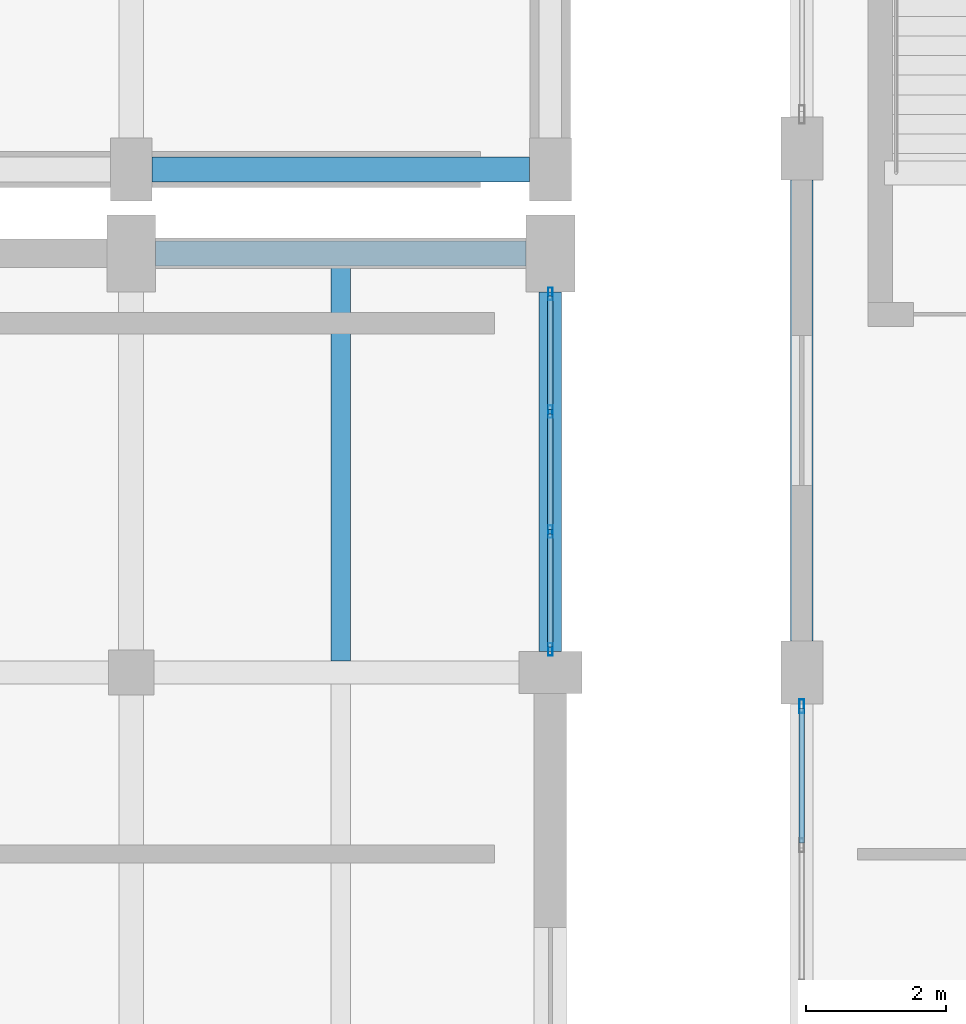
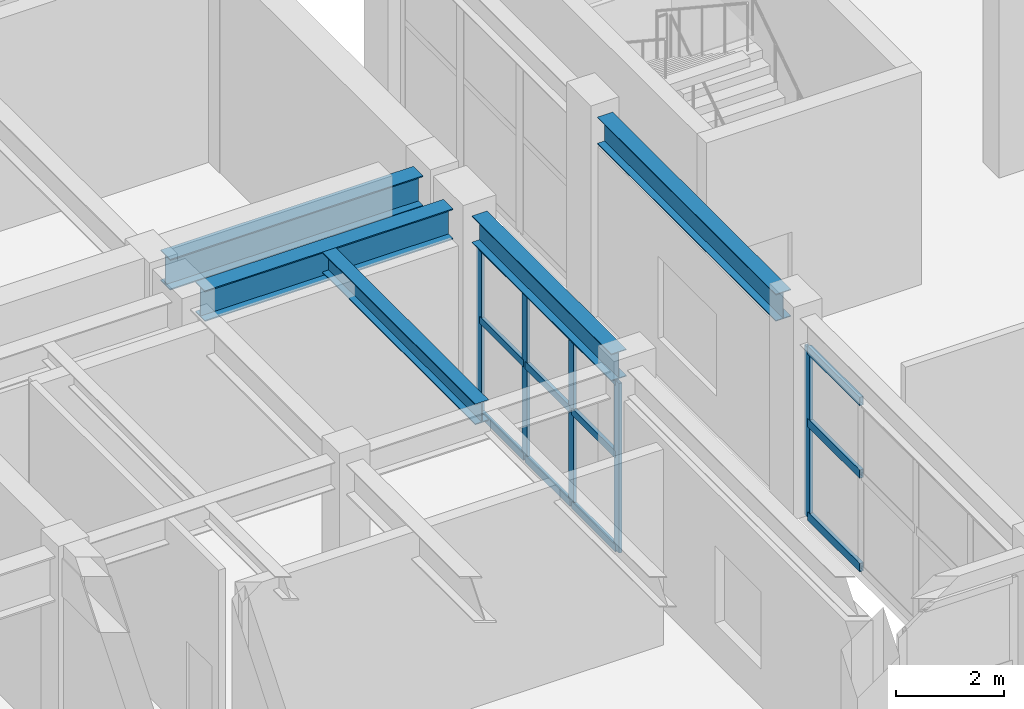
# One storey, part 45 of 85: 17 members, 5 beams, 2 elements without a shape of their own.
"""IFC4 building model written with IfcOpenShell, lengths in metres."""

from ifc_helpers import new_model, si_unit, direction, frame, origin, origin_2d, place, context, subcontext, project, spatial, hollow_rectangle, i_section, extrude, material, layer, layer_set, material_profile, profile_set, type_object, element, aggregate, save


model = new_model("IFC4")

# Units and contexts
model_context = context("Model", 3, precision=1e-05, world=origin(), true_north=direction((0.0, 1.0)))
body_context = subcontext(model_context, "Body", "Model", "MODEL_VIEW")
ifc_project = project(units=[si_unit("LENGTHUNIT", "METRE"), si_unit("AREAUNIT", "SQUARE_METRE"), si_unit("VOLUMEUNIT", "CUBIC_METRE"), si_unit("PLANEANGLEUNIT", "RADIAN"), si_unit("MASSUNIT", "GRAM", prefix="KILO")], contexts=[model_context])

# Site, building, storey
site_placement = place(None, origin())
site = spatial("IfcSite", under=ifc_project, at=site_placement, CompositionType="ELEMENT")
building_placement = place(site_placement, origin())
building = spatial("IfcBuilding", under=site, at=building_placement, Name="Vaelkrest Opera House", CompositionType="ELEMENT")
storey_placement = place(building_placement, frame((0.0, 0.0, 10.199951171875)))
storey = spatial("IfcBuildingStorey", under=building, at=storey_placement, Name="L02", CompositionType="ELEMENT", Elevation=10.199951171875)

# Curtain wall, members
ifc_material_1 = material(Name="Dark bronze anodized aluminium", Category="aluminium")
ifc_layer_1 = layer(ifc_material_1, 0.219970703125)
ifc_layer_set_1 = layer_set([ifc_layer_1], Name="Dark bronze anodized aluminium")
curtain_wall_type_1 = type_object("IfcCurtainWallType", Name="CW05", PredefinedType="NOTDEFINED", material=ifc_layer_set_1)
curtain_wall_1_placement = place(storey_placement, origin())
curtain_wall_1 = element("IfcCurtainWall", 1, at=curtain_wall_1_placement, inside=storey, type_object=curtain_wall_type_1, Name="Curtain wall CW-L02-039", PredefinedType="NOTDEFINED")
ifc_material_profile_1 = material_profile(ifc_material_1, hollow_rectangle(XDim=0.06494140625, YDim=0.179931640625, WallThickness=0.00390625, at=origin_2d()), Name="CWM65X180")
ifc_profile_set_1 = profile_set([ifc_material_profile_1], Name="Dark bronze anodized aluminium")
member_type_1 = type_object("IfcMemberType", Name="CWM01", PredefinedType="MULLION", material=ifc_profile_set_1)
member_1_placement = place(storey_placement, frame((30.0, 15.619384765625, 0.0), z_axis=(0.0, 0.0, 1.0), x_axis=(1.0, 0.0, 0.0)))
member_1 = element("IfcMember", 2, at=member_1_placement, type_object=member_type_1, Name="CW05 mullion 1", PredefinedType="MULLION", context=body_context, shape_type="SweptSolid", body=[
    extrude(hollow_rectangle(XDim=0.06494140625, YDim=0.179931640625, WallThickness=0.00390625, at=origin_2d()), origin(), (0.0, 0.0, 1.0), 3.8291015625),
])
member_2_placement = place(storey_placement, frame((30.0, 13.93408203125, 0.0), z_axis=(0.0, 0.0, 1.0), x_axis=(1.0, 0.0, 0.0)))
member_2 = element("IfcMember", 3, at=member_2_placement, type_object=member_type_1, Name="CW05 mullion 2", PredefinedType="MULLION", context=body_context, shape_type="SweptSolid", body=[
    extrude(hollow_rectangle(XDim=0.06494140625, YDim=0.179931640625, WallThickness=0.00390625, at=origin_2d()), origin(), (0.0, 0.0, 1.0), 3.8291015625),
])
member_3_placement = place(storey_placement, frame((30.0, 12.216064453125, 0.0), z_axis=(0.0, 0.0, 1.0), x_axis=(1.0, 0.0, 0.0)))
member_3 = element("IfcMember", 4, at=member_3_placement, type_object=member_type_1, Name="CW05 mullion 3", PredefinedType="MULLION", context=body_context, shape_type="SweptSolid", body=[
    extrude(hollow_rectangle(XDim=0.06494140625, YDim=0.179931640625, WallThickness=0.00390625, at=origin_2d()), origin(), (0.0, 0.0, 1.0), 3.8291015625),
])
member_4_placement = place(storey_placement, frame((30.0, 10.530517578125, 0.0), z_axis=(0.0, 0.0, 1.0), x_axis=(1.0, 0.0, 0.0)))
member_4 = element("IfcMember", 5, at=member_4_placement, type_object=member_type_1, Name="CW05 mullion 4", PredefinedType="MULLION", context=body_context, shape_type="SweptSolid", body=[
    extrude(hollow_rectangle(XDim=0.06494140625, YDim=0.179931640625, WallThickness=0.00390625, at=origin_2d()), origin(), (0.0, 0.0, 1.0), 3.8291015625),
])

# Curtain wall, member
ifc_layer_2 = layer(ifc_material_1, 0.22998046875)
ifc_layer_set_2 = layer_set([ifc_layer_2], Name="Dark bronze anodized aluminium")
curtain_wall_type_2 = type_object("IfcCurtainWallType", Name="CW06", PredefinedType="NOTDEFINED", material=ifc_layer_set_2)
curtain_wall_2_placement = place(storey_placement, origin())
curtain_wall_2 = element("IfcCurtainWall", 6, at=curtain_wall_2_placement, inside=storey, type_object=curtain_wall_type_2, Name="Curtain wall CW-L02-162", PredefinedType="NOTDEFINED")
ifc_material_profile_2 = material_profile(ifc_material_1, hollow_rectangle(XDim=0.070068359375, YDim=0.199951171875, WallThickness=0.004150390625, at=origin_2d()), Name="CWM70X200")
ifc_profile_set_2 = profile_set([ifc_material_profile_2], Name="Dark bronze anodized aluminium")
member_type_2 = type_object("IfcMemberType", Name="CWM02", PredefinedType="MULLION", material=ifc_profile_set_2)
member_5_placement = place(storey_placement, frame((33.60009765625, 9.717041015625, 0.0), z_axis=(0.0, 0.0, 1.0), x_axis=(-1.0, 0.0, 0.0)))
member_5 = element("IfcMember", 7, at=member_5_placement, type_object=member_type_2, Name="CW06 mullion 5", PredefinedType="MULLION", context=body_context, shape_type="SweptSolid", body=[
    extrude(hollow_rectangle(XDim=0.070068359375, YDim=0.199951171875, WallThickness=0.004150390625, at=origin_2d()), origin(), (0.0, 0.0, 1.0), 3.8291015625),
])

# Member
ifc_material_profile_3 = material_profile(ifc_material_1, hollow_rectangle(XDim=0.074951171875, YDim=0.159912109375, WallThickness=0.00439453125, at=origin_2d()), Name="CWT75X160")
ifc_profile_set_3 = profile_set([ifc_material_profile_3], Name="Dark bronze anodized aluminium")
member_type_3 = type_object("IfcMemberType", Name="CWT03", PredefinedType="USERDEFINED", material=ifc_profile_set_3)
member_6_placement = place(storey_placement, frame((30.0, 15.5869140625, 0.03759765625), z_axis=(0.0, -1.0, 0.0), x_axis=(1.0, 0.0, 0.0)))
member_6 = element("IfcMember", 8, at=member_6_placement, type_object=member_type_3, Name="CW05 transom 1.1", ObjectType="TRANSOM", PredefinedType="USERDEFINED", context=body_context, shape_type="SweptSolid", body=[
    extrude(hollow_rectangle(XDim=0.074951171875, YDim=0.159912109375, WallThickness=0.00439453125, at=origin_2d()), origin(), (0.0, 0.0, 1.0), 1.620361328125),
])

member_7_placement = place(storey_placement, frame((30.0, 15.5869140625, 2.150146484375), z_axis=(0.0, -1.0, 0.0), x_axis=(1.0, 0.0, 0.0)))
member_7 = element("IfcMember", 9, at=member_7_placement, type_object=member_type_3, Name="CW05 transom 1.2", ObjectType="TRANSOM", PredefinedType="USERDEFINED", context=body_context, shape_type="SweptSolid", body=[
    extrude(hollow_rectangle(XDim=0.074951171875, YDim=0.159912109375, WallThickness=0.00439453125, at=origin_2d()), origin(), (0.0, 0.0, 1.0), 1.620361328125),
])

member_8_placement = place(storey_placement, frame((30.0, 15.5869140625, 3.79150390625), z_axis=(0.0, -1.0, 0.0), x_axis=(1.0, 0.0, 0.0)))
member_8 = element("IfcMember", 10, at=member_8_placement, type_object=member_type_3, Name="CW05 transom 1.3", ObjectType="TRANSOM", PredefinedType="USERDEFINED", context=body_context, shape_type="SweptSolid", body=[
    extrude(hollow_rectangle(XDim=0.074951171875, YDim=0.159912109375, WallThickness=0.00439453125, at=origin_2d()), origin(), (0.0, 0.0, 1.0), 1.620361328125),
])

member_9_placement = place(storey_placement, frame((30.0, 13.901611328125, 0.03759765625), z_axis=(0.0, -1.0, 0.0), x_axis=(1.0, 0.0, 0.0)))
member_9 = element("IfcMember", 11, at=member_9_placement, type_object=member_type_3, Name="CW05 transom 2.1", ObjectType="TRANSOM", PredefinedType="USERDEFINED", context=body_context, shape_type="SweptSolid", body=[
    extrude(hollow_rectangle(XDim=0.074951171875, YDim=0.159912109375, WallThickness=0.00439453125, at=origin_2d()), origin(), (0.0, 0.0, 1.0), 1.653076171875),
])

member_10_placement = place(storey_placement, frame((30.0, 13.901611328125, 2.150146484375), z_axis=(0.0, -1.0, 0.0), x_axis=(1.0, 0.0, 0.0)))
member_10 = element("IfcMember", 12, at=member_10_placement, type_object=member_type_3, Name="CW05 transom 2.2", ObjectType="TRANSOM", PredefinedType="USERDEFINED", context=body_context, shape_type="SweptSolid", body=[
    extrude(hollow_rectangle(XDim=0.074951171875, YDim=0.159912109375, WallThickness=0.00439453125, at=origin_2d()), origin(), (0.0, 0.0, 1.0), 1.653076171875),
])

member_11_placement = place(storey_placement, frame((30.0, 13.901611328125, 3.79150390625), z_axis=(0.0, -1.0, 0.0), x_axis=(1.0, 0.0, 0.0)))
member_11 = element("IfcMember", 13, at=member_11_placement, type_object=member_type_3, Name="CW05 transom 2.3", ObjectType="TRANSOM", PredefinedType="USERDEFINED", context=body_context, shape_type="SweptSolid", body=[
    extrude(hollow_rectangle(XDim=0.074951171875, YDim=0.159912109375, WallThickness=0.00439453125, at=origin_2d()), origin(), (0.0, 0.0, 1.0), 1.653076171875),
])

member_12_placement = place(storey_placement, frame((30.0, 12.18359375, 0.03759765625), z_axis=(0.0, -1.0, 0.0), x_axis=(1.0, 0.0, 0.0)))
member_12 = element("IfcMember", 14, at=member_12_placement, type_object=member_type_3, Name="CW05 transom 3.1", ObjectType="TRANSOM", PredefinedType="USERDEFINED", context=body_context, shape_type="SweptSolid", body=[
    extrude(hollow_rectangle(XDim=0.074951171875, YDim=0.159912109375, WallThickness=0.00439453125, at=origin_2d()), origin(), (0.0, 0.0, 1.0), 1.62060546875),
])

member_13_placement = place(storey_placement, frame((30.0, 12.18359375, 2.150146484375), z_axis=(0.0, -1.0, 0.0), x_axis=(1.0, 0.0, 0.0)))
member_13 = element("IfcMember", 15, at=member_13_placement, type_object=member_type_3, Name="CW05 transom 3.2", ObjectType="TRANSOM", PredefinedType="USERDEFINED", context=body_context, shape_type="SweptSolid", body=[
    extrude(hollow_rectangle(XDim=0.074951171875, YDim=0.159912109375, WallThickness=0.00439453125, at=origin_2d()), origin(), (0.0, 0.0, 1.0), 1.62060546875),
])

member_14_placement = place(storey_placement, frame((30.0, 12.18359375, 3.79150390625), z_axis=(0.0, -1.0, 0.0), x_axis=(1.0, 0.0, 0.0)))
member_14 = element("IfcMember", 16, at=member_14_placement, type_object=member_type_3, Name="CW05 transom 3.3", ObjectType="TRANSOM", PredefinedType="USERDEFINED", context=body_context, shape_type="SweptSolid", body=[
    extrude(hollow_rectangle(XDim=0.074951171875, YDim=0.159912109375, WallThickness=0.00439453125, at=origin_2d()), origin(), (0.0, 0.0, 1.0), 1.62060546875),
])

aggregate(curtain_wall_1, [member_1, member_2, member_3, member_4, member_6, member_7, member_8, member_9, member_10, member_11, member_12, member_13, member_14])

ifc_material_profile_4 = material_profile(ifc_material_1, hollow_rectangle(XDim=0.080078125, YDim=0.18994140625, WallThickness=0.0048828125, at=origin_2d()), Name="CWT80X190")
ifc_profile_set_4 = profile_set([ifc_material_profile_4], Name="Dark bronze anodized aluminium")
member_type_4 = type_object("IfcMemberType", Name="CWT04", PredefinedType="USERDEFINED", material=ifc_profile_set_4)
member_15_placement = place(storey_placement, frame((33.60009765625, 7.760986328125, 0.0400390625), z_axis=(0.0, 1.0, 0.0), x_axis=(-1.0, 0.0, 0.0)))
member_15 = element("IfcMember", 17, at=member_15_placement, type_object=member_type_4, Name="CW06 transom 4.1", ObjectType="TRANSOM", PredefinedType="USERDEFINED", context=body_context, shape_type="SweptSolid", body=[
    extrude(hollow_rectangle(XDim=0.080078125, YDim=0.18994140625, WallThickness=0.0048828125, at=origin_2d()), origin(), (0.0, 0.0, 1.0), 1.9208984375),
])

member_16_placement = place(storey_placement, frame((33.60009765625, 7.760986328125, 2.150146484375), z_axis=(0.0, 1.0, 0.0), x_axis=(-1.0, 0.0, 0.0)))
member_16 = element("IfcMember", 18, at=member_16_placement, type_object=member_type_4, Name="CW06 transom 4.2", ObjectType="TRANSOM", PredefinedType="USERDEFINED", context=body_context, shape_type="SweptSolid", body=[
    extrude(hollow_rectangle(XDim=0.080078125, YDim=0.18994140625, WallThickness=0.0048828125, at=origin_2d()), origin(), (0.0, 0.0, 1.0), 1.9208984375),
])

member_17_placement = place(storey_placement, frame((33.60009765625, 7.760986328125, 3.7890625), z_axis=(0.0, 1.0, 0.0), x_axis=(-1.0, 0.0, 0.0)))
member_17 = element("IfcMember", 19, at=member_17_placement, type_object=member_type_4, Name="CW06 transom 4.3", ObjectType="TRANSOM", PredefinedType="USERDEFINED", context=body_context, shape_type="SweptSolid", body=[
    extrude(hollow_rectangle(XDim=0.080078125, YDim=0.18994140625, WallThickness=0.0048828125, at=origin_2d()), origin(), (0.0, 0.0, 1.0), 1.9208984375),
])

aggregate(curtain_wall_2, [member_5, member_15, member_16, member_17])

# Beams
ifc_material_2 = material(Name="Steel A992 Gr50", Category="steel")
ifc_material_profile_5 = material_profile(ifc_material_2, i_section(OverallWidth=0.282958984375, OverallDepth=0.471923828125, WebThickness=0.013671875, FlangeThickness=0.022216796875, at=origin_2d()), Name="W18X97")
ifc_profile_set_5 = profile_set([ifc_material_profile_5], Name="Steel A992 Gr50")
beam_type_1 = type_object("IfcBeamType", Name="J10", PredefinedType="JOIST", material=ifc_profile_set_5)
beam_1_placement = place(storey_placement, frame((27.0, 10.364013671875, 4.26904296875), z_axis=(0.0, 1.0, 0.0), x_axis=(-1.0, 0.0, 0.0)))
element("IfcBeam", 20, at=beam_1_placement, inside=storey, type_object=beam_type_1, Name="Floor joist JST-V1-L02-0420", PredefinedType="JOIST", context=body_context, shape_type="SweptSolid", body=[
    extrude(i_section(OverallWidth=0.282958984375, OverallDepth=0.471923828125, WebThickness=0.013671875, FlangeThickness=0.022216796875, at=origin_2d()), origin(), (0.0, 0.0, 1.0), 5.658447265625),
])
ifc_material_profile_6 = material_profile(ifc_material_2, i_section(OverallWidth=0.323974609375, OverallDepth=0.611083984375, WebThickness=0.0126953125, FlangeThickness=0.01904296875, at=origin_2d()), Name="W24X104")
ifc_profile_set_6 = profile_set([ifc_material_profile_6], Name="Steel A992 Gr50")
beam_type_2 = type_object("IfcBeamType", Name="SP01", PredefinedType="SPANDREL", material=ifc_profile_set_6)
beam_2_placement = place(storey_placement, frame((30.0, 10.5, 4.199462890625), z_axis=(0.0, 1.0, 0.0), x_axis=(-1.0, 0.0, 0.0)))
element("IfcBeam", 21, at=beam_2_placement, inside=storey, type_object=beam_type_2, Name="Beam BM-V1-L02-0406", PredefinedType="SPANDREL", context=body_context, shape_type="SweptSolid", body=[
    extrude(i_section(OverallWidth=0.323974609375, OverallDepth=0.611083984375, WebThickness=0.0126953125, FlangeThickness=0.01904296875, at=origin_2d()), origin(), (0.0, 0.0, 1.0), 5.14990234375),
])
beam_3_placement = place(storey_placement, frame((33.60009765625, 10.64990234375, 4.199462890625), z_axis=(0.0, 1.0, 0.0), x_axis=(-1.0, 0.0, 0.0)))
element("IfcBeam", 22, at=beam_3_placement, inside=storey, type_object=beam_type_2, Name="Beam BM-V4-L02-2284", PredefinedType="SPANDREL", context=body_context, shape_type="SweptSolid", body=[
    extrude(i_section(OverallWidth=0.323974609375, OverallDepth=0.611083984375, WebThickness=0.0126953125, FlangeThickness=0.01904296875, at=origin_2d()), origin(), (0.0, 0.0, 1.0), 6.60009765625),
])
ifc_material_profile_7 = material_profile(ifc_material_2, i_section(OverallWidth=0.35498046875, OverallDepth=0.695068359375, WebThickness=0.015380859375, FlangeThickness=0.02490234375, at=origin_2d()), Name="W27X146")
ifc_profile_set_7 = profile_set([ifc_material_profile_7], Name="Steel A992 Gr50")
beam_type_3 = type_object("IfcBeamType", Name="SP02", PredefinedType="SPANDREL", material=ifc_profile_set_7)
beam_4_placement = place(storey_placement, frame((24.35009765625, 16.199951171875, 4.157470703125), z_axis=(1.0, 0.0, 0.0), x_axis=(0.0, 1.0, 0.0)))
element("IfcBeam", 23, at=beam_4_placement, inside=storey, type_object=beam_type_3, Name="Beam BM-V1-L02-0364", PredefinedType="SPANDREL", context=body_context, shape_type="SweptSolid", body=[
    extrude(i_section(OverallWidth=0.35498046875, OverallDepth=0.695068359375, WebThickness=0.015380859375, FlangeThickness=0.02490234375, at=origin_2d()), origin(), (0.0, 0.0, 1.0), 5.2998046875),
])
beam_5_placement = place(storey_placement, frame((24.300048828125, 17.39990234375, 4.157470703125), z_axis=(1.0, 0.0, 0.0), x_axis=(0.0, 1.0, 0.0)))
element("IfcBeam", 24, at=beam_5_placement, inside=storey, type_object=beam_type_3, Name="Beam BM-V2-L02-0962", PredefinedType="SPANDREL", context=body_context, shape_type="SweptSolid", body=[
    extrude(i_section(OverallWidth=0.35498046875, OverallDepth=0.695068359375, WebThickness=0.015380859375, FlangeThickness=0.02490234375, at=origin_2d()), origin(), (0.0, 0.0, 1.0), 5.39990234375),
])

save(model, "model.ifc")
